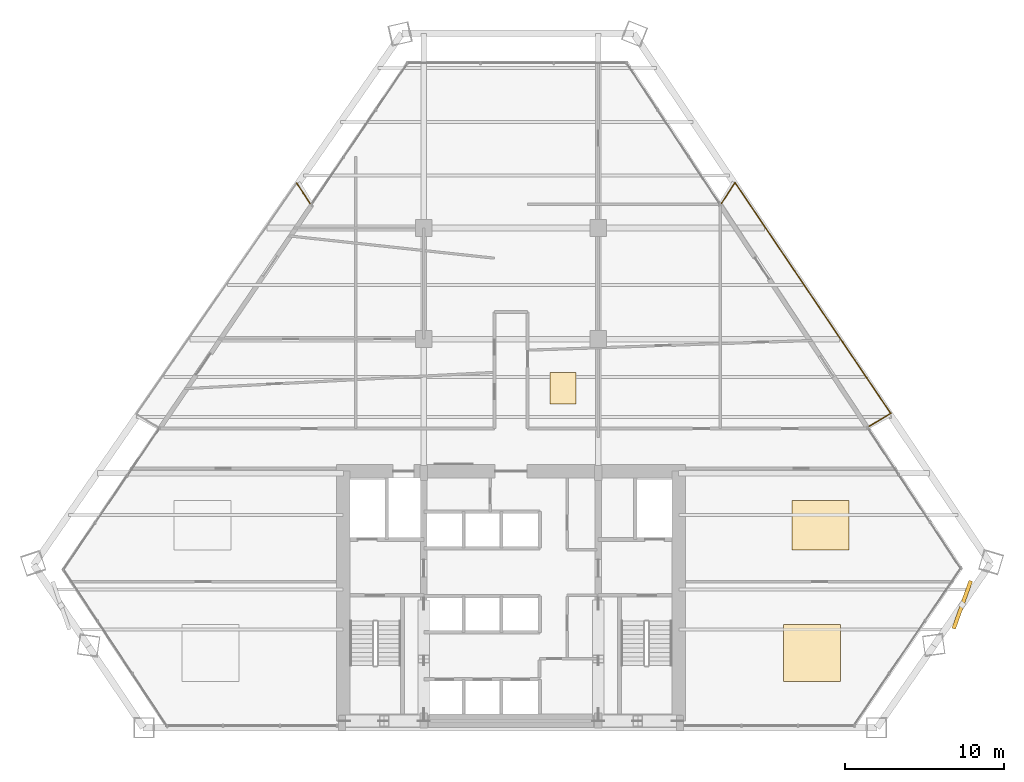
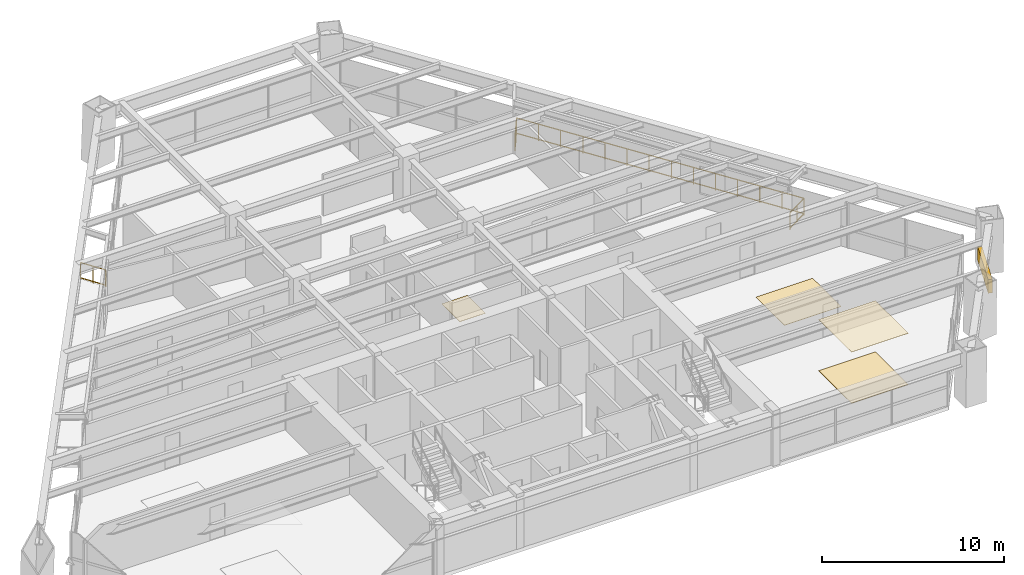
# One storey, part 14 of 14: 4 coverings, 4 railings, 1 shading device.
"""IFC4 building model written with IfcOpenShell, lengths in metres."""

from ifc_helpers import new_model, si_unit, direction, frame, origin, origin_2d, place, context, subcontext, project, spatial, rectangle, extrude, source, transform, mapped, material, layer, layer_set, type_object, type_shapes, element, save


model = new_model("IFC4")

# Units and contexts
model_context = context("Model", 3, precision=1e-05, world=origin(), true_north=direction((0.0, 1.0)))
body_context = subcontext(model_context, "Body", "Model", "MODEL_VIEW")
ifc_project = project(units=[si_unit("LENGTHUNIT", "METRE"), si_unit("AREAUNIT", "SQUARE_METRE"), si_unit("VOLUMEUNIT", "CUBIC_METRE"), si_unit("PLANEANGLEUNIT", "RADIAN"), si_unit("MASSUNIT", "GRAM", prefix="KILO")], contexts=[model_context])

# Site, building, storey
site_placement = place(None, origin())
site = spatial("IfcSite", under=ifc_project, at=site_placement, CompositionType="ELEMENT")
building_placement = place(site_placement, origin())
building = spatial("IfcBuilding", under=site, at=building_placement, Name="Varnakhor Terracotta Tower", CompositionType="ELEMENT")
storey_placement = place(building_placement, frame((0.0, 0.0, 64.5)))
storey = spatial("IfcBuildingStorey", under=building, at=storey_placement, Name="L15", CompositionType="ELEMENT", Elevation=64.5)

# Railings
ifc_material_1 = material(Name="Stainless Steel & Laminated Glass Guardrail", Category="steel")
railing_type = type_object("IfcRailingType", Name="RLG-LOGGIA-GUARD-1150", PredefinedType="GUARDRAIL", material=ifc_material_1)
railing_1_placement = place(storey_placement, frame((13.27880859375, 33.06591796875, 0.0)))
element("IfcRailing", 1, at=railing_1_placement, inside=storey, type_object=railing_type, Name="L15 E Loggia Glass Guard 1", PredefinedType="GUARDRAIL", context=body_context, shape_type="SweptSolid", body=[
    extrude(rectangle(XDim=0.048095703125, YDim=0.048095703125, at=origin_2d()), frame((0.0, 0.0, 1.1259765625), z_axis=(0.542259440973, 0.840211103637, 0.0), x_axis=(-0.840211103637, 0.542259440973, 0.0)), (0.0, 0.0, 1.0), 1.552001953125),
    extrude(rectangle(XDim=0.048095703125, YDim=0.048095703125, at=origin_2d()), frame((0.0, 0.0, 0.10009765625), z_axis=(0.542259440973, 0.840211103637, 0.0), x_axis=(-0.840211103637, 0.542259440973, 0.0)), (0.0, 0.0, 1.0), 1.552001953125),
    extrude(rectangle(XDim=0.0419921875, YDim=0.0419921875, at=origin_2d()), origin(), (0.0, 0.0, 1.0), 1.101806640625),
    extrude(rectangle(XDim=0.0419921875, YDim=0.0419921875, at=origin_2d()), frame((0.4208984375, 0.65185546875, 0.0)), (0.0, 0.0, 1.0), 1.101806640625),
    extrude(rectangle(XDim=0.0419921875, YDim=0.0419921875, at=origin_2d()), frame((0.841552734375, 1.303955078125, 0.0)), (0.0, 0.0, 1.0), 1.101806640625),
])
railing_2_placement = place(storey_placement, frame((14.120361328125, 34.369873046875, 0.0)))
element("IfcRailing", 2, at=railing_2_placement, inside=storey, type_object=railing_type, Name="L15 E Loggia Glass Guard 2", PredefinedType="GUARDRAIL", context=body_context, shape_type="SweptSolid", body=[
    extrude(rectangle(XDim=0.048095703125, YDim=0.048095703125, at=origin_2d()), frame((0.0, 0.0, 1.1259765625), z_axis=(0.559549764198, -0.828796755173, 0.0), x_axis=(0.828796755173, 0.559549764198, 0.0)), (0.0, 0.0, 1.0), 17.5546875),
    extrude(rectangle(XDim=0.048095703125, YDim=0.048095703125, at=origin_2d()), frame((0.0, 0.0, 0.10009765625), z_axis=(0.559549764198, -0.828796755173, 0.0), x_axis=(0.828796755173, 0.559549764198, 0.0)), (0.0, 0.0, 1.0), 17.5546875),
    extrude(rectangle(XDim=0.0419921875, YDim=0.0419921875, at=origin_2d()), origin(), (0.0, 0.0, 1.0), 1.101806640625),
    extrude(rectangle(XDim=0.0419921875, YDim=0.0419921875, at=origin_2d()), frame((0.755615234375, -1.119140625, 0.0)), (0.0, 0.0, 1.0), 1.101806640625),
    extrude(rectangle(XDim=0.0419921875, YDim=0.0419921875, at=origin_2d()), frame((1.51123046875, -2.23828125, 0.0)), (0.0, 0.0, 1.0), 1.101806640625),
    extrude(rectangle(XDim=0.0419921875, YDim=0.0419921875, at=origin_2d()), frame((2.266845703125, -3.357421875, 0.0)), (0.0, 0.0, 1.0), 1.101806640625),
    extrude(rectangle(XDim=0.0419921875, YDim=0.0419921875, at=origin_2d()), frame((3.0224609375, -4.476806640625, 0.0)), (0.0, 0.0, 1.0), 1.101806640625),
    extrude(rectangle(XDim=0.0419921875, YDim=0.0419921875, at=origin_2d()), frame((3.778076171875, -5.595947265625, 0.0)), (0.0, 0.0, 1.0), 1.101806640625),
    extrude(rectangle(XDim=0.0419921875, YDim=0.0419921875, at=origin_2d()), frame((4.53369140625, -6.715087890625, 0.0)), (0.0, 0.0, 1.0), 1.101806640625),
    extrude(rectangle(XDim=0.0419921875, YDim=0.0419921875, at=origin_2d()), frame((5.2890625, -7.834228515625, 0.0)), (0.0, 0.0, 1.0), 1.101806640625),
    extrude(rectangle(XDim=0.0419921875, YDim=0.0419921875, at=origin_2d()), frame((6.044677734375, -8.953369140625, 0.0)), (0.0, 0.0, 1.0), 1.101806640625),
    extrude(rectangle(XDim=0.0419921875, YDim=0.0419921875, at=origin_2d()), frame((6.80029296875, -10.072509765625, 0.0)), (0.0, 0.0, 1.0), 1.101806640625),
    extrude(rectangle(XDim=0.0419921875, YDim=0.0419921875, at=origin_2d()), frame((7.555908203125, -11.19189453125, 0.0)), (0.0, 0.0, 1.0), 1.101806640625),
    extrude(rectangle(XDim=0.0419921875, YDim=0.0419921875, at=origin_2d()), frame((8.3115234375, -12.31103515625, 0.0)), (0.0, 0.0, 1.0), 1.101806640625),
    extrude(rectangle(XDim=0.0419921875, YDim=0.0419921875, at=origin_2d()), frame((9.067138671875, -13.43017578125, 0.0)), (0.0, 0.0, 1.0), 1.101806640625),
    extrude(rectangle(XDim=0.0419921875, YDim=0.0419921875, at=origin_2d()), frame((9.82275390625, -14.54931640625, 0.0)), (0.0, 0.0, 1.0), 1.101806640625),
])
railing_3_placement = place(storey_placement, frame((23.943115234375, 19.820556640625, 0.0)))
element("IfcRailing", 3, at=railing_3_placement, inside=storey, type_object=railing_type, Name="L15 E Loggia Glass Guard 3", PredefinedType="GUARDRAIL", context=body_context, shape_type="SweptSolid", body=[
    extrude(rectangle(XDim=0.048095703125, YDim=0.048095703125, at=origin_2d()), frame((0.0, 0.0, 1.1259765625), z_axis=(-0.855637418867, -0.51757570213, 0.0), x_axis=(0.51757570213, -0.855637418867, 0.0)), (0.0, 0.0, 1.0), 1.59521484375),
    extrude(rectangle(XDim=0.048095703125, YDim=0.048095703125, at=origin_2d()), frame((0.0, 0.0, 0.10009765625), z_axis=(-0.855637418867, -0.51757570213, 0.0), x_axis=(0.51757570213, -0.855637418867, 0.0)), (0.0, 0.0, 1.0), 1.59521484375),
    extrude(rectangle(XDim=0.0419921875, YDim=0.0419921875, at=origin_2d()), origin(), (0.0, 0.0, 1.0), 1.101806640625),
    extrude(rectangle(XDim=0.0419921875, YDim=0.0419921875, at=origin_2d()), frame((-0.6826171875, -0.412841796875, 0.0)), (0.0, 0.0, 1.0), 1.101806640625),
    extrude(rectangle(XDim=0.0419921875, YDim=0.0419921875, at=origin_2d()), frame((-1.364990234375, -0.82568359375, 0.0)), (0.0, 0.0, 1.0), 1.101806640625),
])
railing_4_placement = place(storey_placement, frame((-13.517578125, 34.350830078125, 0.0)))
element("IfcRailing", 4, at=railing_4_placement, inside=storey, type_object=railing_type, Name="L15 W Loggia Glass Guard 3", PredefinedType="GUARDRAIL", context=body_context, shape_type="SweptSolid", body=[
    extrude(rectangle(XDim=0.048095703125, YDim=0.048095703125, at=origin_2d()), frame((0.0, 0.0, 1.1259765625), z_axis=(0.54306867351, -0.839688284932, 0.0), x_axis=(0.839688284932, 0.54306867351, 0.0)), (0.0, 0.0, 1.0), 1.55224609375),
    extrude(rectangle(XDim=0.048095703125, YDim=0.048095703125, at=origin_2d()), frame((0.0, 0.0, 0.10009765625), z_axis=(0.54306867351, -0.839688284932, 0.0), x_axis=(0.839688284932, 0.54306867351, 0.0)), (0.0, 0.0, 1.0), 1.55224609375),
    extrude(rectangle(XDim=0.0419921875, YDim=0.0419921875, at=origin_2d()), origin(), (0.0, 0.0, 1.0), 1.101806640625),
    extrude(rectangle(XDim=0.0419921875, YDim=0.0419921875, at=origin_2d()), frame((0.42138671875, -0.65185546875, 0.0)), (0.0, 0.0, 1.0), 1.101806640625),
    extrude(rectangle(XDim=0.0419921875, YDim=0.0419921875, at=origin_2d()), frame((0.843017578125, -1.303466796875, 0.0)), (0.0, 0.0, 1.0), 1.101806640625),
])

# Shading device
ifc_material_2 = material(Name="Extruded Architectural Terracotta Screen", Category="masonry")
shading_device_type = type_object("IfcShadingDeviceType", Name="TERRACOTTA SOLAR SCREEN E", PredefinedType="USERDEFINED", material=ifc_material_2)
shared_shape_1 = source(origin(), body_context, "Body", "SweptSolid", [
    extrude(rectangle(XDim=3.199951171875, YDim=0.239990234375, at=origin_2d()), origin(), (0.0, 0.0, 1.0), 0.919921875),
])
type_shapes(shading_device_type, [shared_shape_1])
shading_device_placement = place(storey_placement, frame((28.44970703125, 7.748291015625, 1.617919921875), z_axis=(0.0, 0.0, 1.0), x_axis=(0.337193847139, 0.941435239117, 0.0)))
element("IfcShadingDevice", 5, at=shading_device_placement, inside=storey, type_object=shading_device_type, Name="L15 E Terracotta Solar Screen", ObjectType="SCREEN", PredefinedType="USERDEFINED", context=body_context, shape_type="MappedRepresentation", body=[
    mapped(shared_shape_1, transform((0.0, 0.0, 0.0), scale=1.0)),
])

# Coverings
ifc_material_3 = material(Name="Honed Riyadh Limestone Flooring", Category="masonry")
ifc_layer_1 = layer(ifc_material_3, 0.030029296875, Name="Honed Riyadh Limestone Flooring")
ifc_layer_set_1 = layer_set([ifc_layer_1], Name="Honed Riyadh Limestone Flooring")
covering_type_1 = type_object("IfcCoveringType", Name="COV-FLOOR-LIMESTONE", PredefinedType="FLOORING", material=ifc_layer_set_1)
shared_shape_2 = source(origin(), body_context, "Body", "SweptSolid", [
    extrude(rectangle(XDim=3.60009765625, YDim=3.60009765625, at=origin_2d()), origin(), (0.0, 0.0, 1.0), 0.02001953125),
])
covering_1_placement = place(storey_placement, frame((18.989013671875, 4.701904296875, 0.0), z_axis=(0.0, 0.0, 1.0), x_axis=(1.0, 0.0, 0.0)))
element("IfcCovering", 6, at=covering_1_placement, inside=storey, type_object=covering_type_1, Name="L15 Honed Stone Flooring 2", PredefinedType="FLOORING", context=body_context, shape_type="MappedRepresentation", body=[
    mapped(shared_shape_2, transform((0.0, 0.0, 0.0), scale=1.0)),
])
ifc_material_4 = material(Name="Perforated Acoustic Mineral-Fibre Ceiling", Category="gypsum")
ifc_layer_2 = layer(ifc_material_4, 0.02490234375, Name="Perforated Acoustic Mineral-Fibre Ceiling")
ifc_layer_set_2 = layer_set([ifc_layer_2], Name="Perforated Acoustic Mineral-Fibre Ceiling")
covering_type_2 = type_object("IfcCoveringType", Name="COV-CEILING-ACOUSTIC", PredefinedType="CEILING", material=ifc_layer_set_2)
shared_shape_3 = source(origin(), body_context, "Body", "SweptSolid", [
    extrude(rectangle(XDim=3.60009765625, YDim=3.60009765625, at=origin_2d()), origin(), (0.0, 0.0, 1.0), 0.02392578125),
])
covering_2_placement = place(storey_placement, frame((18.989013671875, 4.701904296875, 3.426025390625), z_axis=(0.0, 0.0, 1.0), x_axis=(1.0, 0.0, 0.0)))
element("IfcCovering", 7, at=covering_2_placement, inside=storey, type_object=covering_type_2, Name="L15 Acoustic Ceiling Panel 2", PredefinedType="CEILING", context=body_context, shape_type="MappedRepresentation", body=[
    mapped(shared_shape_3, transform((0.0, 0.0, 0.0), scale=1.0)),
])
shared_shape_4 = source(origin(), body_context, "Body", "SweptSolid", [
    extrude(rectangle(XDim=3.60009765625, YDim=3.1220703125, at=origin_2d()), origin(), (0.0, 0.0, 1.0), 0.02001953125),
])
covering_3_placement = place(storey_placement, frame((19.52294921875, 12.763916015625, 0.0), z_axis=(0.0, 0.0, 1.0), x_axis=(1.0, 0.0, 0.0)))
element("IfcCovering", 8, at=covering_3_placement, inside=storey, type_object=covering_type_1, Name="L15 Honed Stone Flooring 4", PredefinedType="FLOORING", context=body_context, shape_type="MappedRepresentation", body=[
    mapped(shared_shape_4, transform((0.0, 0.0, 0.0), scale=1.0)),
])
shared_shape_5 = source(origin(), body_context, "Body", "SweptSolid", [
    extrude(rectangle(XDim=1.636962890625, YDim=1.98095703125, at=origin_2d()), origin(), (0.0, 0.0, 1.0), 0.02001953125),
])
covering_4_placement = place(storey_placement, frame((3.285888671875, 21.39892578125, 0.0), z_axis=(0.0, 0.0, 1.0), x_axis=(1.0, 0.0, 0.0)))
element("IfcCovering", 9, at=covering_4_placement, inside=storey, type_object=covering_type_1, Name="L15 Honed Stone Flooring 5", PredefinedType="FLOORING", context=body_context, shape_type="MappedRepresentation", body=[
    mapped(shared_shape_5, transform((0.0, 0.0, 0.0), scale=1.0)),
])

save(model, "model.ifc")
